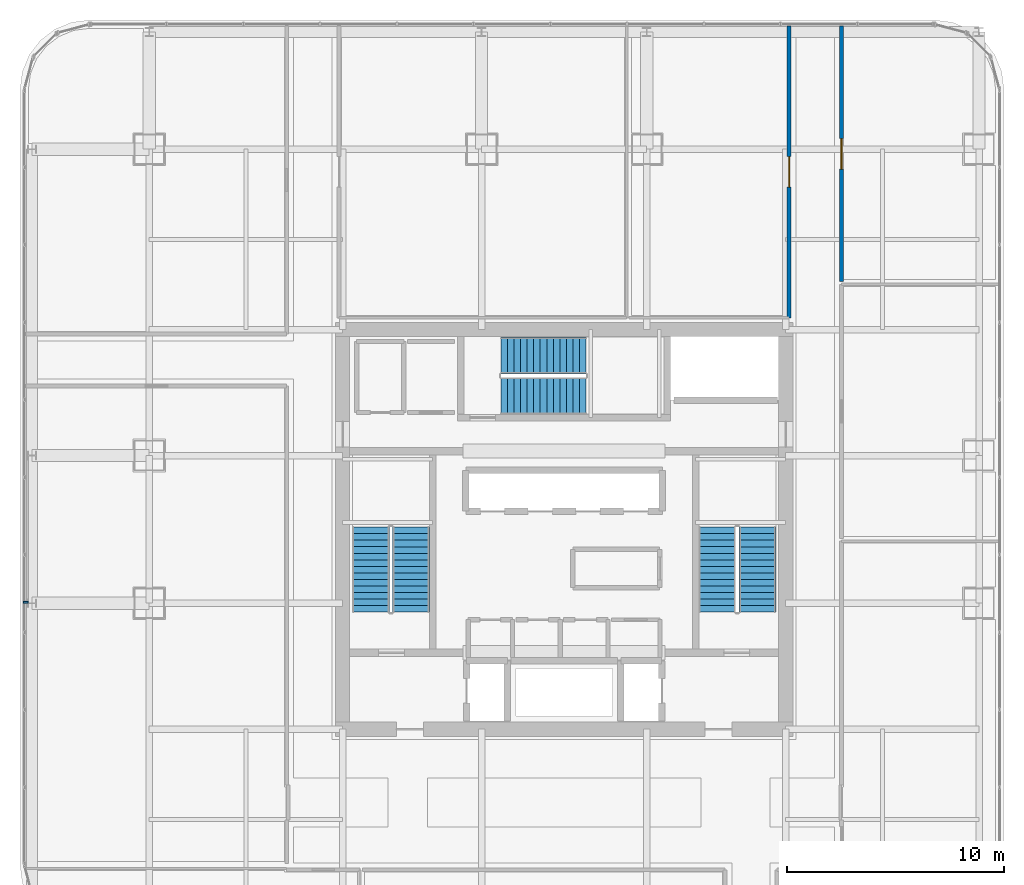
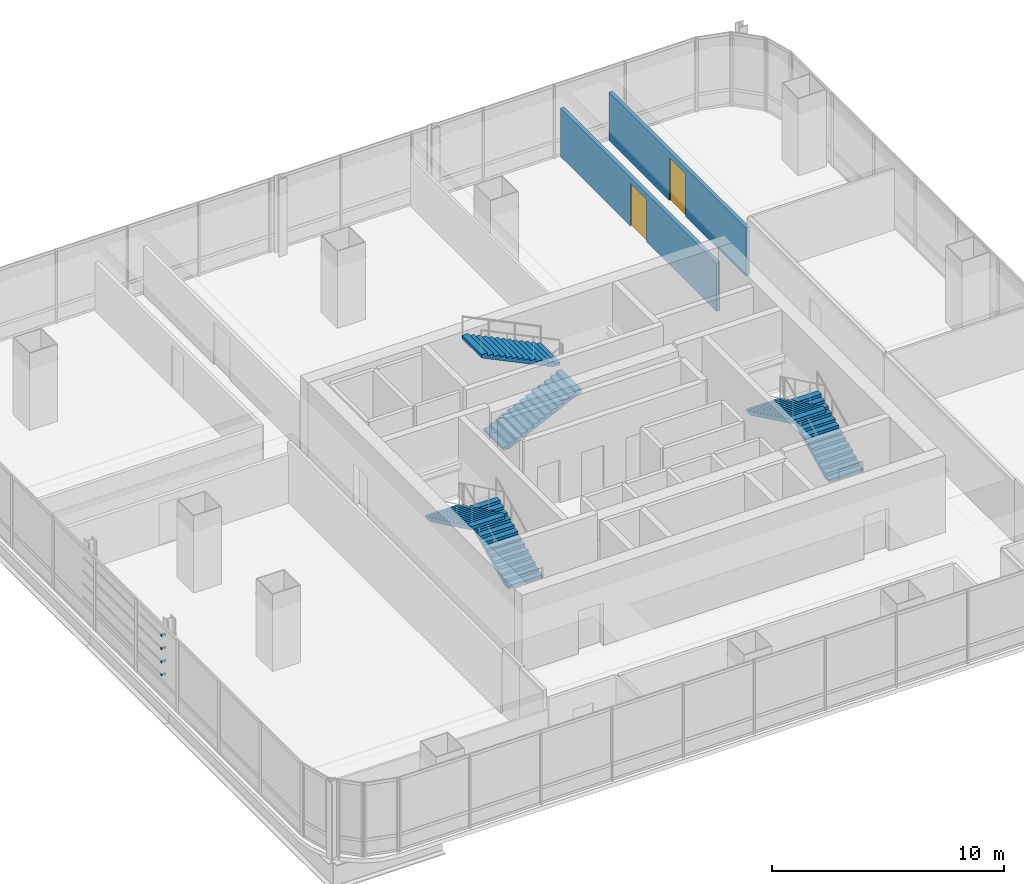
# One storey, part 32 of 38: 6 stair flights, 4 discrete accessories, 2 doors, 2 walls, 2 openings, 3 elements without a shape of their own.
"""IFC4 building model written with IfcOpenShell, lengths in metres."""

from ifc_helpers import new_model, si_unit, direction, frame, frame_2d, origin, origin_2d, place, context, subcontext, project, spatial, polyline, rectangle, outline, extrude, material, layer, layer_set, type_object, element, fill, aggregate, save


model = new_model("IFC4")

# Units and contexts
model_context = context("Model", 3, precision=1e-05, world=origin(), true_north=direction((0.0, 1.0)))
body_context = subcontext(model_context, "Body", "Model", "MODEL_VIEW")
ifc_project = project(units=[si_unit("LENGTHUNIT", "METRE"), si_unit("AREAUNIT", "SQUARE_METRE"), si_unit("VOLUMEUNIT", "CUBIC_METRE"), si_unit("PLANEANGLEUNIT", "RADIAN"), si_unit("MASSUNIT", "GRAM", prefix="KILO")], contexts=[model_context])

# Site, building, storey
site_placement = place(None, origin())
site = spatial("IfcSite", under=ifc_project, at=site_placement, CompositionType="ELEMENT")
building_placement = place(site_placement, origin())
building = spatial("IfcBuilding", under=site, at=building_placement, Name="Punatoya Terracotta Tower", CompositionType="ELEMENT")
storey_placement = place(building_placement, frame((0.0, 0.0, 160.050048828125)))
storey = spatial("IfcBuildingStorey", under=building, at=storey_placement, Name="L37", CompositionType="ELEMENT", Elevation=160.050048828125)

# Wall, opening, door
ifc_material_1 = material(Name="Gypsum Fireboard + Steel Stud", Category="steel")
ifc_layer = layer(ifc_material_1, 0.179931640625)
ifc_layer_set = layer_set([ifc_layer], Name="Gypsum Fireboard + Steel Stud")
wall_type = type_object("IfcWallType", Name="WL-CORR-180", PredefinedType="PARTITIONING", material=ifc_layer_set)
wall_1_placement = place(storey_placement, frame((10.360107421875, 23.169921875, 0.0), z_axis=(0.0, 0.0, 1.0), x_axis=(0.0, -1.0, 0.0)))
wall_1 = element("IfcWall", 1, at=wall_1_placement, inside=storey, type_object=wall_type, Name="L37 Open-Plan Symposium Colloquium Room Partition 44", PredefinedType="PARTITIONING", context=body_context, shape_type="SweptSolid", body=[
    extrude(rectangle(XDim=13.429931640625, YDim=0.179931640625, at=frame_2d((6.71484375, 0.0))), origin(), (0.0, 0.0, 1.0), 2.5439453125),
])
opening_1_placement = place(wall_1_placement, frame((6.014892578125, 0.0, 0.0)))
opening_1 = element("IfcOpeningElement", 2, at=opening_1_placement, cuts=wall_1, Name="Opening BD-01", PredefinedType="OPENING", context=body_context, shape_type="SweptSolid", body=[
    extrude(rectangle(XDim=1.39990234375, YDim=2.25, at=frame_2d((0.699951171875, 1.125))), frame((0.0, 0.099853515625, 0.0), z_axis=(0.0, -1.0, 0.0), x_axis=(1.0, 0.0, 0.0)), (0.0, 0.0, 1.0), 0.199951171875),
])
ifc_material_2 = material(Name="Bengal Teak Acoustic Leaf")
door_type = type_object("IfcDoorType", Name="DR-BRD-1400", OperationType="NOTDEFINED", PredefinedType="DOOR", material=ifc_material_2)
door_1_placement = place(opening_1_placement, origin())
door_1 = element("IfcDoor", 3, at=door_1_placement, inside=storey, type_object=door_type, Name="L37 Open-Plan Symposium Colloquium Room Door", OperationType="SINGLE_SWING_LEFT", OverallHeight=2.25, OverallWidth=1.39990234375, PredefinedType="DOOR", context=body_context, shape_type="SweptSolid", body=[
    extrude(rectangle(XDim=1.39990234375, YDim=2.25, at=frame_2d((0.699951171875, 1.125))), frame((0.0, 0.02490234375, 0.0), z_axis=(0.0, -1.0, 0.0), x_axis=(1.0, 0.0, 0.0)), (0.0, 0.0, 1.0), 0.050048828125),
])
fill(opening_1, door_1)

wall_2_placement = place(storey_placement, frame((12.77001953125, 11.402099609375, 0.0), z_axis=(0.0, 0.0, 1.0), x_axis=(0.0, 1.0, 0.0)))
wall_2 = element("IfcWall", 4, at=wall_2_placement, inside=storey, type_object=wall_type, Name="L37 Open-Plan Roundtable Conference Room Partition 45", PredefinedType="PARTITIONING", context=body_context, shape_type="SweptSolid", body=[
    extrude(rectangle(XDim=11.767822265625, YDim=0.179931640625, at=frame_2d((5.8837890625, 0.0))), origin(), (0.0, 0.0, 1.0), 2.5439453125),
])
opening_2_placement = place(wall_2_placement, frame((5.18408203125, 0.0, 0.0)))
opening_2 = element("IfcOpeningElement", 5, at=opening_2_placement, cuts=wall_2, Name="Opening BD-01", PredefinedType="OPENING", context=body_context, shape_type="SweptSolid", body=[
    extrude(rectangle(XDim=1.39990234375, YDim=2.25, at=frame_2d((0.699951171875, 1.125))), frame((0.0, 0.099853515625, 0.0), z_axis=(0.0, -1.0, 0.0), x_axis=(1.0, 0.0, 0.0)), (0.0, 0.0, 1.0), 0.199951171875),
])
door_2_placement = place(opening_2_placement, origin())
door_2 = element("IfcDoor", 6, at=door_2_placement, inside=storey, type_object=door_type, Name="L37 Open-Plan Roundtable Conference Room Door", OperationType="SINGLE_SWING_RIGHT", OverallHeight=2.25, OverallWidth=1.39990234375, PredefinedType="DOOR", context=body_context, shape_type="SweptSolid", body=[
    extrude(rectangle(XDim=1.39990234375, YDim=2.25, at=frame_2d((0.699951171875, 1.125))), frame((0.0, 0.02490234375, 0.0), z_axis=(0.0, -1.0, 0.0), x_axis=(1.0, 0.0, 0.0)), (0.0, 0.0, 1.0), 0.050048828125),
])
fill(opening_2, door_2)

# Stair, stair flights
ifc_material_3 = material(Name="Concrete C40/50", Category="concrete")
stair_type_1 = type_object("IfcStairType", Name="STR-CORE-1550", PredefinedType="HALF_TURN_STAIR", material=ifc_material_3)
stair_1_placement = place(storey_placement, origin())
stair_1 = element("IfcStair", 7, at=stair_1_placement, inside=storey, type_object=stair_type_1, Name="L37 Protected Core Exit Stair ST-1", PredefinedType="HALF_TURN_STAIR")
stair_flight_type_1 = type_object("IfcStairFlightType", Name="SFL-CORE-1550", PredefinedType="STRAIGHT", material=ifc_material_3)
stair_flight_1_placement = place(storey_placement, frame((-7.050048828125, -3.800048828125, 0.0), z_axis=(0.0, 0.0, 1.0), x_axis=(0.0, 1.0, 0.0)))
stair_flight_1 = element("IfcStairFlight", 8, at=stair_flight_1_placement, type_object=stair_flight_type_1, Name="ST-1 flight 1", NumberOfRisers=14, NumberOfTreads=13, PredefinedType="STRAIGHT", RiserHeight=0.144642857, TreadLength=0.3, context=body_context, shape_type="SweptSolid", body=[
    extrude(outline(polyline([(0.0, 0.0), (0.0, 0.14453125), (0.300048828125, 0.14453125), (0.300048828125, 0.289306640625), (0.60009765625, 0.289306640625), (0.60009765625, 0.433837890625), (0.89990234375, 0.433837890625), (0.89990234375, 0.57861328125), (1.199951171875, 0.57861328125), (1.199951171875, 0.72314453125), (1.5, 0.72314453125), (1.5, 0.867919921875), (1.800048828125, 0.867919921875), (1.800048828125, 1.012451171875), (2.10009765625, 1.012451171875), (2.10009765625, 1.1572265625), (2.39990234375, 1.1572265625), (2.39990234375, 1.3017578125), (2.699951171875, 1.3017578125), (2.699951171875, 1.446533203125), (3.0, 1.446533203125), (3.0, 1.591064453125), (3.300048828125, 1.591064453125), (3.300048828125, 1.735595703125), (3.60009765625, 1.735595703125), (3.60009765625, 1.88037109375), (3.89990234375, 1.88037109375), (3.89990234375, 2.02490234375), (3.89990234375, 1.7138671875), (0.34521484375, 0.0), (0.0, 0.0)])), frame((0.0, 0.85009765625, 0.0), z_axis=(0.0, -1.0, 0.0), x_axis=(1.0, 0.0, 0.0)), (0.0, 0.0, 1.0), 1.699951171875),
])
stair_flight_2_placement = place(storey_placement, frame((-8.89990234375, 0.10009765625, 2.02490234375), z_axis=(0.0, 0.0, 1.0), x_axis=(0.0, -1.0, 0.0)))
stair_flight_2 = element("IfcStairFlight", 9, at=stair_flight_2_placement, type_object=stair_flight_type_1, Name="ST-1 flight 2", NumberOfRisers=14, NumberOfTreads=13, PredefinedType="STRAIGHT", RiserHeight=0.144642857, TreadLength=0.3, context=body_context, shape_type="SweptSolid", body=[
    extrude(outline(polyline([(0.0, 0.0), (0.0, 0.14453125), (0.300048828125, 0.14453125), (0.300048828125, 0.289306640625), (0.60009765625, 0.289306640625), (0.60009765625, 0.433837890625), (0.89990234375, 0.433837890625), (0.89990234375, 0.57861328125), (1.199951171875, 0.57861328125), (1.199951171875, 0.72314453125), (1.5, 0.72314453125), (1.5, 0.867919921875), (1.800048828125, 0.867919921875), (1.800048828125, 1.012451171875), (2.10009765625, 1.012451171875), (2.10009765625, 1.1572265625), (2.39990234375, 1.1572265625), (2.39990234375, 1.3017578125), (2.699951171875, 1.3017578125), (2.699951171875, 1.446533203125), (3.0, 1.446533203125), (3.0, 1.591064453125), (3.300048828125, 1.591064453125), (3.300048828125, 1.735595703125), (3.60009765625, 1.735595703125), (3.60009765625, 1.88037109375), (3.89990234375, 1.88037109375), (3.89990234375, 2.02490234375), (3.89990234375, 1.7138671875), (0.34521484375, 0.0), (0.0, 0.0)])), frame((0.0, 0.85009765625, 0.0), z_axis=(0.0, -1.0, 0.0), x_axis=(1.0, 0.0, 0.0)), (0.0, 0.0, 1.0), 1.699951171875),
])
aggregate(stair_1, [stair_flight_1, stair_flight_2])

stair_type_2 = type_object("IfcStairType", Name="STR-LOB-1650", PredefinedType="HALF_TURN_STAIR", material=ifc_material_3)
stair_2_placement = place(storey_placement, origin())
stair_2 = element("IfcStair", 10, at=stair_2_placement, inside=storey, type_object=stair_type_2, Name="L37 Protected Core Exit Stair ST-2", PredefinedType="HALF_TURN_STAIR")
stair_flight_type_2 = type_object("IfcStairFlightType", Name="SFL-LOB-1650", PredefinedType="STRAIGHT", material=ifc_material_3)
stair_flight_3_placement = place(storey_placement, frame((8.89990234375, -3.800048828125, 0.0), z_axis=(0.0, 0.0, 1.0), x_axis=(0.0, 1.0, 0.0)))
stair_flight_3 = element("IfcStairFlight", 11, at=stair_flight_3_placement, type_object=stair_flight_type_2, Name="ST-2 flight 1", NumberOfRisers=14, NumberOfTreads=13, PredefinedType="STRAIGHT", RiserHeight=0.144642857, TreadLength=0.3, context=body_context, shape_type="SweptSolid", body=[
    extrude(outline(polyline([(0.0, 0.0), (0.0, 0.14453125), (0.300048828125, 0.14453125), (0.300048828125, 0.289306640625), (0.60009765625, 0.289306640625), (0.60009765625, 0.433837890625), (0.89990234375, 0.433837890625), (0.89990234375, 0.57861328125), (1.199951171875, 0.57861328125), (1.199951171875, 0.72314453125), (1.5, 0.72314453125), (1.5, 0.867919921875), (1.800048828125, 0.867919921875), (1.800048828125, 1.012451171875), (2.10009765625, 1.012451171875), (2.10009765625, 1.1572265625), (2.39990234375, 1.1572265625), (2.39990234375, 1.3017578125), (2.699951171875, 1.3017578125), (2.699951171875, 1.446533203125), (3.0, 1.446533203125), (3.0, 1.591064453125), (3.300048828125, 1.591064453125), (3.300048828125, 1.735595703125), (3.60009765625, 1.735595703125), (3.60009765625, 1.88037109375), (3.89990234375, 1.88037109375), (3.89990234375, 2.02490234375), (3.89990234375, 1.7138671875), (0.34521484375, 0.0), (0.0, 0.0)])), frame((0.0, 0.85009765625, 0.0), z_axis=(0.0, -1.0, 0.0), x_axis=(1.0, 0.0, 0.0)), (0.0, 0.0, 1.0), 1.699951171875),
])
stair_flight_4_placement = place(storey_placement, frame((7.050048828125, 0.10009765625, 2.02490234375), z_axis=(0.0, 0.0, 1.0), x_axis=(0.0, -1.0, 0.0)))
stair_flight_4 = element("IfcStairFlight", 12, at=stair_flight_4_placement, type_object=stair_flight_type_2, Name="ST-2 flight 2", NumberOfRisers=14, NumberOfTreads=13, PredefinedType="STRAIGHT", RiserHeight=0.144642857, TreadLength=0.3, context=body_context, shape_type="SweptSolid", body=[
    extrude(outline(polyline([(0.0, 0.0), (0.0, 0.14453125), (0.300048828125, 0.14453125), (0.300048828125, 0.289306640625), (0.60009765625, 0.289306640625), (0.60009765625, 0.433837890625), (0.89990234375, 0.433837890625), (0.89990234375, 0.57861328125), (1.199951171875, 0.57861328125), (1.199951171875, 0.72314453125), (1.5, 0.72314453125), (1.5, 0.867919921875), (1.800048828125, 0.867919921875), (1.800048828125, 1.012451171875), (2.10009765625, 1.012451171875), (2.10009765625, 1.1572265625), (2.39990234375, 1.1572265625), (2.39990234375, 1.3017578125), (2.699951171875, 1.3017578125), (2.699951171875, 1.446533203125), (3.0, 1.446533203125), (3.0, 1.591064453125), (3.300048828125, 1.591064453125), (3.300048828125, 1.735595703125), (3.60009765625, 1.735595703125), (3.60009765625, 1.88037109375), (3.89990234375, 1.88037109375), (3.89990234375, 2.02490234375), (3.89990234375, 1.7138671875), (0.34521484375, 0.0), (0.0, 0.0)])), frame((0.0, 0.85009765625, 0.0), z_axis=(0.0, -1.0, 0.0), x_axis=(1.0, 0.0, 0.0)), (0.0, 0.0, 1.0), 1.699951171875),
])
aggregate(stair_2, [stair_flight_3, stair_flight_4])

stair_type_3 = type_object("IfcStairType", Name="STR-TER-1450", PredefinedType="HALF_TURN_STAIR", material=ifc_material_3)
stair_3_placement = place(storey_placement, origin())
stair_3 = element("IfcStair", 13, at=stair_3_placement, inside=storey, type_object=stair_type_3, Name="L37 Protected Core Exit Stair ST-3", PredefinedType="HALF_TURN_STAIR")
stair_flight_type_3 = type_object("IfcStairFlightType", Name="SFL-TER-1450", PredefinedType="STRAIGHT", material=ifc_material_3)
stair_flight_5_placement = place(storey_placement, frame((-2.89990234375, 6.14990234375, 0.0), z_axis=(0.0, 0.0, 1.0), x_axis=(1.0, 0.0, 0.0)))
stair_flight_5 = element("IfcStairFlight", 14, at=stair_flight_5_placement, type_object=stair_flight_type_3, Name="ST-3 flight 1", NumberOfRisers=14, NumberOfTreads=13, PredefinedType="STRAIGHT", RiserHeight=0.144642857, TreadLength=0.3, context=body_context, shape_type="SweptSolid", body=[
    extrude(outline(polyline([(0.0, 0.0), (0.0, 0.14453125), (0.300048828125, 0.14453125), (0.300048828125, 0.289306640625), (0.60009765625, 0.289306640625), (0.60009765625, 0.433837890625), (0.89990234375, 0.433837890625), (0.89990234375, 0.57861328125), (1.199951171875, 0.57861328125), (1.199951171875, 0.72314453125), (1.5, 0.72314453125), (1.5, 0.867919921875), (1.800048828125, 0.867919921875), (1.800048828125, 1.012451171875), (2.10009765625, 1.012451171875), (2.10009765625, 1.1572265625), (2.39990234375, 1.1572265625), (2.39990234375, 1.3017578125), (2.699951171875, 1.3017578125), (2.699951171875, 1.446533203125), (3.0, 1.446533203125), (3.0, 1.591064453125), (3.300048828125, 1.591064453125), (3.300048828125, 1.735595703125), (3.60009765625, 1.735595703125), (3.60009765625, 1.88037109375), (3.89990234375, 1.88037109375), (3.89990234375, 2.02490234375), (3.89990234375, 1.7138671875), (0.34521484375, 0.0), (0.0, 0.0)])), frame((0.0, 0.85009765625, 0.0), z_axis=(0.0, -1.0, 0.0), x_axis=(1.0, 0.0, 0.0)), (0.0, 0.0, 1.0), 1.699951171875),
])
stair_flight_6_placement = place(storey_placement, frame((1.0, 8.0, 2.02490234375), z_axis=(0.0, 0.0, 1.0), x_axis=(-1.0, 0.0, 0.0)))
stair_flight_6 = element("IfcStairFlight", 15, at=stair_flight_6_placement, type_object=stair_flight_type_3, Name="ST-3 flight 2", NumberOfRisers=14, NumberOfTreads=13, PredefinedType="STRAIGHT", RiserHeight=0.144642857, TreadLength=0.3, context=body_context, shape_type="SweptSolid", body=[
    extrude(outline(polyline([(0.0, 0.0), (0.0, 0.14453125), (0.300048828125, 0.14453125), (0.300048828125, 0.289306640625), (0.60009765625, 0.289306640625), (0.60009765625, 0.433837890625), (0.89990234375, 0.433837890625), (0.89990234375, 0.57861328125), (1.199951171875, 0.57861328125), (1.199951171875, 0.72314453125), (1.5, 0.72314453125), (1.5, 0.867919921875), (1.800048828125, 0.867919921875), (1.800048828125, 1.012451171875), (2.10009765625, 1.012451171875), (2.10009765625, 1.1572265625), (2.39990234375, 1.1572265625), (2.39990234375, 1.3017578125), (2.699951171875, 1.3017578125), (2.699951171875, 1.446533203125), (3.0, 1.446533203125), (3.0, 1.591064453125), (3.300048828125, 1.591064453125), (3.300048828125, 1.735595703125), (3.60009765625, 1.735595703125), (3.60009765625, 1.88037109375), (3.89990234375, 1.88037109375), (3.89990234375, 2.02490234375), (3.89990234375, 1.7138671875), (0.34521484375, 0.0), (0.0, 0.0)])), frame((0.0, 0.85009765625, 0.0), z_axis=(0.0, -1.0, 0.0), x_axis=(1.0, 0.0, 0.0)), (0.0, 0.0, 1.0), 1.699951171875),
])
aggregate(stair_3, [stair_flight_5, stair_flight_6])

# Discrete accessories
ifc_material_4 = material(Name="Steel S355", Category="steel")
discrete_accessory_type = type_object("IfcDiscreteAccessoryType", Name="ACC-BRK-220", PredefinedType="BRACKET", material=ifc_material_4)
for number, where, z_axis, x_axis, name in (
    (16, (-24.782470703125, -3.35009765625, 1.099853515625), (0.0, 0.0, 1.0), (0.0, 1.0, 0.0), "L37 Baguette Louvre Column Bracket BAG-L37-W-01"),
    (17, (-24.782470703125, -3.35009765625, 1.793212890625), (0.0, 0.0, 1.0), (0.0, 1.0, 0.0), "L37 Baguette Louvre Column Bracket BAG-L37-W-02"),
    (18, (-24.782470703125, -3.35009765625, 2.486572265625), (0.0, 0.0, 1.0), (0.0, 1.0, 0.0), "L37 Baguette Louvre Column Bracket BAG-L37-W-03"),
    (19, (-24.782470703125, -3.35009765625, 3.179931640625), (0.0, 0.0, 1.0), (0.0, 1.0, 0.0), "L37 Baguette Louvre Column Bracket BAG-L37-W-04"),
):
    element("IfcDiscreteAccessory", number, at=place(storey_placement, frame(where, z_axis=z_axis, x_axis=x_axis)), inside=storey, type_object=discrete_accessory_type, Name=name, PredefinedType="BRACKET", context=body_context, shape_type="SweptSolid", body=[
        extrude(rectangle(XDim=0.090087890625, YDim=0.219970703125, at=origin_2d()), origin(), (0.0, 0.0, 1.0), 0.10009765625),
    ])

save(model, "model.ifc")
